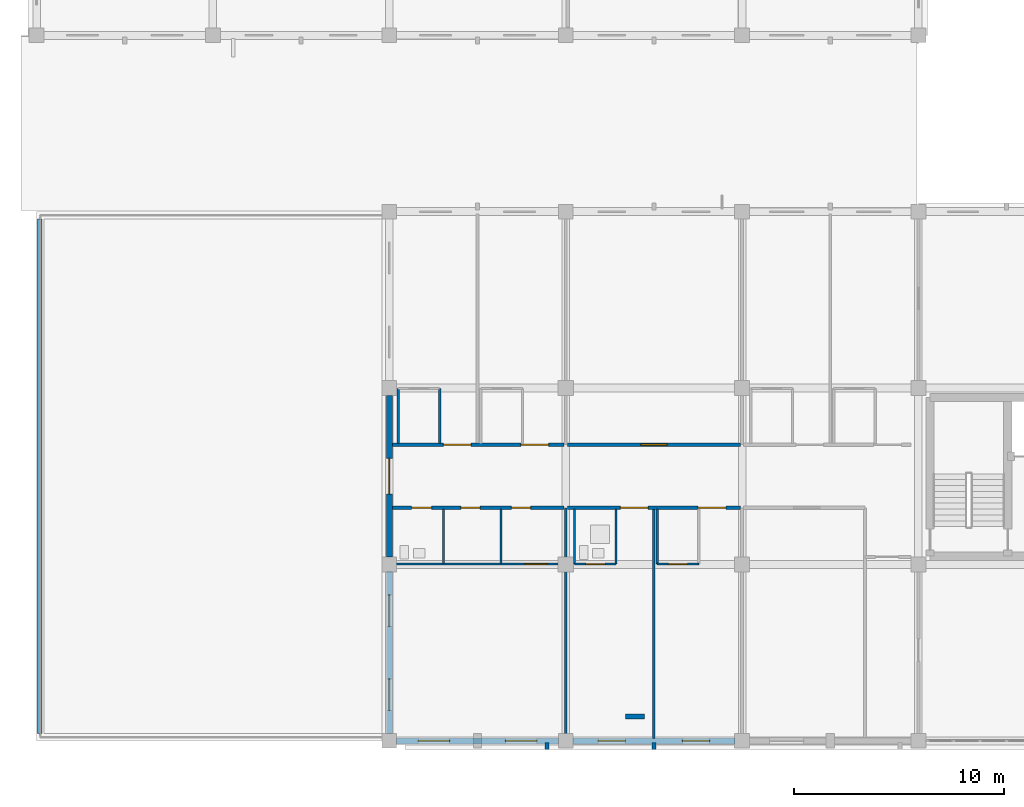
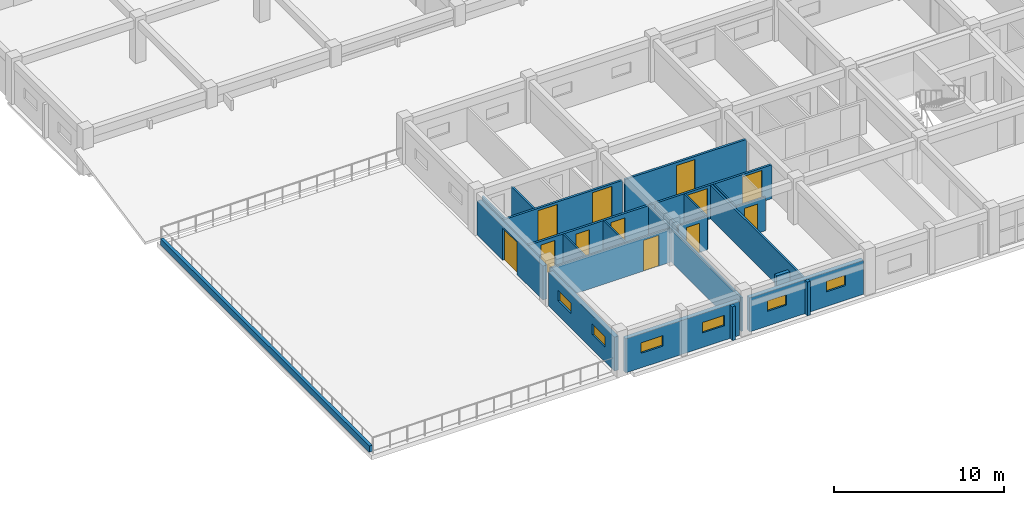
# One storey, part 109 of 148: 24 walls, 12 doors, 6 windows, 18 openings.
"""IFC4 building model written with IfcOpenShell, lengths in metres."""

from ifc_helpers import new_model, si_unit, direction, frame, frame_2d, origin, place, context, subcontext, project, spatial, rectangle, extrude, material, layer, layer_set, type_object, element, fill, save


model = new_model("IFC4")

# Units and contexts
model_context = context("Model", 3, precision=1e-05, world=origin(), true_north=direction((0.0, 1.0)))
body_context = subcontext(model_context, "Body", "Model", "MODEL_VIEW")
ifc_project = project(units=[si_unit("LENGTHUNIT", "METRE"), si_unit("AREAUNIT", "SQUARE_METRE"), si_unit("VOLUMEUNIT", "CUBIC_METRE"), si_unit("PLANEANGLEUNIT", "RADIAN"), si_unit("MASSUNIT", "GRAM", prefix="KILO")], contexts=[model_context])

# Site, building, storey
site_placement = place(None, origin())
site = spatial("IfcSite", under=ifc_project, at=site_placement, CompositionType="ELEMENT")
building_placement = place(site_placement, origin())
building = spatial("IfcBuilding", under=site, at=building_placement, Name="Trelvath General Hospital", CompositionType="ELEMENT")
storey_placement = place(building_placement, frame((0.0, 0.0, 12.89990234375)))
storey = spatial("IfcBuildingStorey", under=building, at=storey_placement, Name="L03", CompositionType="ELEMENT", Elevation=12.89990234375)

# Walls
ifc_material_1 = material(Name="Precast concrete C40/50", Category="concrete")
ifc_layer_1 = layer(ifc_material_1, 0.199951171875)
ifc_layer_set_1 = layer_set([ifc_layer_1], Name="Precast concrete C40/50")
wall_type_1 = type_object("IfcWallType", Name="BriseSoleilRib 200", PredefinedType="ELEMENTEDWALL", material=ifc_layer_set_1)
for number, where, z_axis, x_axis, name in (
    (1, (24.315185546875, -0.074951171875, 0.0), (0.0, 0.0, 1.0), (0.0, -1.0, 0.0), "Precast Concrete Brise-Soleil Rib Fin L03-234"),
    (2, (29.39990234375, -0.074951171875, 0.0), (0.0, 0.0, 1.0), (0.0, -1.0, 0.0), "Precast Concrete Brise-Soleil Rib Fin L03-240"),
):
    element("IfcWall", number, at=place(storey_placement, frame(where, z_axis=z_axis, x_axis=x_axis)), inside=storey, type_object=wall_type_1, Name=name, PredefinedType="ELEMENTEDWALL", context=body_context, shape_type="SweptSolid", body=[
        extrude(rectangle(XDim=0.340087890625, YDim=0.199951171875, at=frame_2d((0.169921875, 0.0))), origin(), (0.0, 0.0, 1.0), 2.420166015625),
    ])

# Wall, openings, doors
ifc_material_2 = material(Name="Gypsum acoustic steel-stud partition", Category="steel")
ifc_layer_2 = layer(ifc_material_2, 0.14990234375)
ifc_layer_set_2 = layer_set([ifc_layer_2], Name="Gypsum acoustic steel-stud partition")
wall_type_2 = type_object("IfcWallType", Name="ClinicalPartition 150", PredefinedType="PARTITIONING", material=ifc_layer_set_2)
wall_1_placement = place(storey_placement, frame((16.93994140625, 11.10009765625, 0.0), z_axis=(0.0, 0.0, 1.0), x_axis=(1.0, 0.0, 0.0)))
wall_1 = element("IfcWall", 3, at=wall_1_placement, inside=storey, type_object=wall_type_2, Name="Corridor Partition L03-1054", PredefinedType="PARTITIONING", context=body_context, shape_type="SweptSolid", body=[
    extrude(rectangle(XDim=8.18017578125, YDim=0.14990234375, at=frame_2d((4.090087890625, 0.0))), origin(), (0.0, 0.0, 1.0), 2.420166015625),
])
opening_1_placement = place(wall_1_placement, frame((0.919921875, 0.0, 0.0)))
opening_1 = element("IfcOpeningElement", 4, at=opening_1_placement, cuts=wall_1, Name="Opening D-3-0813", PredefinedType="OPENING", context=body_context, shape_type="SweptSolid", body=[
    extrude(rectangle(XDim=0.949951171875, YDim=2.14990234375, at=frame_2d((0.47509765625, 1.074951171875))), frame((0.0, 0.0849609375, 0.0), z_axis=(0.0, -1.0, 0.0), x_axis=(1.0, 0.0, 0.0)), (0.0, 0.0, 1.0), 0.169921875),
])
opening_2_placement = place(wall_1_placement, frame((3.27001953125, 0.0, 0.0)))
opening_2 = element("IfcOpeningElement", 5, at=opening_2_placement, cuts=wall_1, Name="Opening D-3-0814", PredefinedType="OPENING", context=body_context, shape_type="SweptSolid", body=[
    extrude(rectangle(XDim=0.919921875, YDim=2.10009765625, at=frame_2d((0.4599609375, 1.050048828125))), frame((0.0, 0.0849609375, 0.0), z_axis=(0.0, -1.0, 0.0), x_axis=(1.0, 0.0, 0.0)), (0.0, 0.0, 1.0), 0.169921875),
])
opening_3_placement = place(wall_1_placement, frame((5.669921875, 0.0, 0.0)))
opening_3 = element("IfcOpeningElement", 6, at=opening_3_placement, cuts=wall_1, Name="Opening D-3-0815", PredefinedType="OPENING", context=body_context, shape_type="SweptSolid", body=[
    extrude(rectangle(XDim=0.919921875, YDim=2.10009765625, at=frame_2d((0.4599609375, 1.050048828125))), frame((0.0, 0.0849609375, 0.0), z_axis=(0.0, -1.0, 0.0), x_axis=(1.0, 0.0, 0.0)), (0.0, 0.0, 1.0), 0.169921875),
])
ifc_material_3 = material(Name="Moisture-sealed timber leaf", Category="wood")
door_type_1 = type_object("IfcDoorType", Name="Door AccessibleWC 950x2150", OperationType="NOTDEFINED", PredefinedType="DOOR", material=ifc_material_3)
door_1_placement = place(opening_1_placement, origin())
door_1 = element("IfcDoor", 7, at=door_1_placement, inside=storey, type_object=door_type_1, Name="Accessible WC Door L03-813", OperationType="SINGLE_SWING_LEFT", OverallHeight=2.14990234375, OverallWidth=0.949951171875, PredefinedType="DOOR", context=body_context, shape_type="SweptSolid", body=[
    extrude(rectangle(XDim=0.949951171875, YDim=2.14990234375, at=frame_2d((0.47509765625, 1.074951171875))), frame((0.0, 0.02490234375, 0.0), z_axis=(0.0, -1.0, 0.0), x_axis=(1.0, 0.0, 0.0)), (0.0, 0.0, 1.0), 0.050048828125),
])
fill(opening_1, door_1)
ifc_material_4 = material(Name="Moisture-sealed timber leaf", Category="wood")
door_type_2 = type_object("IfcDoorType", Name="Door StaffWC 920x2100", OperationType="NOTDEFINED", PredefinedType="DOOR", material=ifc_material_4)
door_2_placement = place(opening_2_placement, origin())
door_2 = element("IfcDoor", 8, at=door_2_placement, inside=storey, type_object=door_type_2, Name="Public WC Door L03-814", OperationType="SINGLE_SWING_RIGHT", OverallHeight=2.10009765625, OverallWidth=0.919921875, PredefinedType="DOOR", context=body_context, shape_type="SweptSolid", body=[
    extrude(rectangle(XDim=0.919921875, YDim=2.10009765625, at=frame_2d((0.4599609375, 1.050048828125))), frame((0.0, 0.02490234375, 0.0), z_axis=(0.0, -1.0, 0.0), x_axis=(1.0, 0.0, 0.0)), (0.0, 0.0, 1.0), 0.050048828125),
])
fill(opening_2, door_2)
door_3_placement = place(opening_3_placement, origin())
door_3 = element("IfcDoor", 9, at=door_3_placement, inside=storey, type_object=door_type_2, Name="Staff WC Door L03-815", OperationType="SINGLE_SWING_LEFT", OverallHeight=2.10009765625, OverallWidth=0.919921875, PredefinedType="DOOR", context=body_context, shape_type="SweptSolid", body=[
    extrude(rectangle(XDim=0.919921875, YDim=2.10009765625, at=frame_2d((0.4599609375, 1.050048828125))), frame((0.0, 0.02490234375, 0.0), z_axis=(0.0, -1.0, 0.0), x_axis=(1.0, 0.0, 0.0)), (0.0, 0.0, 1.0), 0.050048828125),
])
fill(opening_3, door_3)

wall_2_placement = place(storey_placement, frame((25.1201171875, 14.10009765625, 0.0), z_axis=(0.0, 0.0, 1.0), x_axis=(-1.0, 0.0, 0.0)))
wall_2 = element("IfcWall", 10, at=wall_2_placement, inside=storey, type_object=wall_type_2, Name="Corridor Partition N L03-1058", PredefinedType="PARTITIONING", context=body_context, shape_type="SweptSolid", body=[
    extrude(rectangle(XDim=8.18017578125, YDim=0.14990234375, at=frame_2d((4.090087890625, 0.0))), origin(), (0.0, 0.0, 1.0), 2.420166015625),
])
opening_4_placement = place(wall_2_placement, frame((0.72998046875, 0.0, 0.0)))
opening_4 = element("IfcOpeningElement", 11, at=opening_4_placement, cuts=wall_2, Name="Opening D-3-0817", PredefinedType="OPENING", context=body_context, shape_type="SweptSolid", body=[
    extrude(rectangle(XDim=1.320068359375, YDim=2.25, at=frame_2d((0.66015625, 1.125))), frame((0.0, 0.0849609375, 0.0), z_axis=(0.0, -1.0, 0.0), x_axis=(1.0, 0.0, 0.0)), (0.0, 0.0, 1.0), 0.169921875),
])
opening_5_placement = place(wall_2_placement, frame((4.429931640625, 0.0, 0.0)))
opening_5 = element("IfcOpeningElement", 12, at=opening_5_placement, cuts=wall_2, Name="Opening D-3-0818", PredefinedType="OPENING", context=body_context, shape_type="SweptSolid", body=[
    extrude(rectangle(XDim=1.320068359375, YDim=2.25, at=frame_2d((0.66015625, 1.125))), frame((0.0, 0.0849609375, 0.0), z_axis=(0.0, -1.0, 0.0), x_axis=(1.0, 0.0, 0.0)), (0.0, 0.0, 1.0), 0.169921875),
])
ifc_material_5 = material(Name="Maternity bed-leaf timber door", Category="wood")
door_type_3 = type_object("IfcDoorType", Name="Door PatientMaternity 1320x2250", OperationType="NOTDEFINED", PredefinedType="DOOR", material=ifc_material_5)
door_4_placement = place(opening_4_placement, origin())
door_4 = element("IfcDoor", 13, at=door_4_placement, inside=storey, type_object=door_type_3, Name="Patient Room Door N L03-817", OperationType="SINGLE_SWING_LEFT", OverallHeight=2.25, OverallWidth=1.320068359375, PredefinedType="DOOR", context=body_context, shape_type="SweptSolid", body=[
    extrude(rectangle(XDim=1.320068359375, YDim=2.25, at=frame_2d((0.66015625, 1.125))), frame((0.0, 0.02490234375, 0.0), z_axis=(0.0, -1.0, 0.0), x_axis=(1.0, 0.0, 0.0)), (0.0, 0.0, 1.0), 0.050048828125),
])
fill(opening_4, door_4)
door_5_placement = place(opening_5_placement, origin())
door_5 = element("IfcDoor", 14, at=door_5_placement, inside=storey, type_object=door_type_3, Name="Patient Room Door N L03-818", OperationType="SINGLE_SWING_LEFT", OverallHeight=2.25, OverallWidth=1.320068359375, PredefinedType="DOOR", context=body_context, shape_type="SweptSolid", body=[
    extrude(rectangle(XDim=1.320068359375, YDim=2.25, at=frame_2d((0.66015625, 1.125))), frame((0.0, 0.02490234375, 0.0), z_axis=(0.0, -1.0, 0.0), x_axis=(1.0, 0.0, 0.0)), (0.0, 0.0, 1.0), 0.050048828125),
])
fill(opening_5, door_5)

wall_3_placement = place(storey_placement, frame((25.280029296875, 11.10009765625, 0.0), z_axis=(0.0, 0.0, 1.0), x_axis=(1.0, 0.0, 0.0)))
wall_3 = element("IfcWall", 15, at=wall_3_placement, inside=storey, type_object=wall_type_2, Name="Corridor Partition L03-1068", PredefinedType="PARTITIONING", context=body_context, shape_type="SweptSolid", body=[
    extrude(rectangle(XDim=8.239990234375, YDim=0.14990234375, at=frame_2d((4.1201171875, 0.0))), origin(), (0.0, 0.0, 1.0), 2.420166015625),
])
opening_6_placement = place(wall_3_placement, frame((2.530029296875, 0.0, 0.0)))
opening_6 = element("IfcOpeningElement", 16, at=opening_6_placement, cuts=wall_3, Name="Opening D-3-0821", PredefinedType="OPENING", context=body_context, shape_type="SweptSolid", body=[
    extrude(rectangle(XDim=1.320068359375, YDim=2.25, at=frame_2d((0.66015625, 1.125))), frame((0.0, 0.0849609375, 0.0), z_axis=(0.0, -1.0, 0.0), x_axis=(1.0, 0.0, 0.0)), (0.0, 0.0, 1.0), 0.169921875),
])
opening_7_placement = place(wall_3_placement, frame((6.22998046875, 0.0, 0.0)))
opening_7 = element("IfcOpeningElement", 17, at=opening_7_placement, cuts=wall_3, Name="Opening D-3-0822", PredefinedType="OPENING", context=body_context, shape_type="SweptSolid", body=[
    extrude(rectangle(XDim=1.320068359375, YDim=2.25, at=frame_2d((0.66015625, 1.125))), frame((0.0, 0.0849609375, 0.0), z_axis=(0.0, -1.0, 0.0), x_axis=(1.0, 0.0, 0.0)), (0.0, 0.0, 1.0), 0.169921875),
])
door_6_placement = place(opening_6_placement, origin())
door_6 = element("IfcDoor", 18, at=door_6_placement, inside=storey, type_object=door_type_3, Name="Patient Room Door L03-821", OperationType="SINGLE_SWING_RIGHT", OverallHeight=2.25, OverallWidth=1.320068359375, PredefinedType="DOOR", context=body_context, shape_type="SweptSolid", body=[
    extrude(rectangle(XDim=1.320068359375, YDim=2.25, at=frame_2d((0.66015625, 1.125))), frame((0.0, 0.02490234375, 0.0), z_axis=(0.0, -1.0, 0.0), x_axis=(1.0, 0.0, 0.0)), (0.0, 0.0, 1.0), 0.050048828125),
])
fill(opening_6, door_6)
door_7_placement = place(opening_7_placement, origin())
door_7 = element("IfcDoor", 19, at=door_7_placement, inside=storey, type_object=door_type_3, Name="Patient Room Door L03-822", OperationType="SINGLE_SWING_LEFT", OverallHeight=2.25, OverallWidth=1.320068359375, PredefinedType="DOOR", context=body_context, shape_type="SweptSolid", body=[
    extrude(rectangle(XDim=1.320068359375, YDim=2.25, at=frame_2d((0.66015625, 1.125))), frame((0.0, 0.02490234375, 0.0), z_axis=(0.0, -1.0, 0.0), x_axis=(1.0, 0.0, 0.0)), (0.0, 0.0, 1.0), 0.050048828125),
])
fill(opening_7, door_7)

# Wall, opening, door
wall_4_placement = place(storey_placement, frame((33.52001953125, 14.10009765625, 0.0), z_axis=(0.0, 0.0, 1.0), x_axis=(-1.0, 0.0, 0.0)))
wall_4 = element("IfcWall", 20, at=wall_4_placement, inside=storey, type_object=wall_type_2, Name="Corridor Partition N L03-1077", PredefinedType="PARTITIONING", context=body_context, shape_type="SweptSolid", body=[
    extrude(rectangle(XDim=8.239990234375, YDim=0.14990234375, at=frame_2d((4.1201171875, 0.0))), origin(), (0.0, 0.0, 1.0), 2.420166015625),
])
opening_8_placement = place(wall_4_placement, frame((3.4951171875, 0.0, 0.0)))
opening_8 = element("IfcOpeningElement", 21, at=opening_8_placement, cuts=wall_4, Name="Opening D-3-0825", PredefinedType="OPENING", context=body_context, shape_type="SweptSolid", body=[
    extrude(rectangle(XDim=1.25, YDim=2.199951171875, at=frame_2d((0.625, 1.10009765625))), frame((0.0, 0.0849609375, 0.0), z_axis=(0.0, -1.0, 0.0), x_axis=(1.0, 0.0, 0.0)), (0.0, 0.0, 1.0), 0.169921875),
])
ifc_material_6 = material(Name="Acoustic hospital timber leaf", Category="wood")
door_type_4 = type_object("IfcDoorType", Name="Door Treatment 1250x2200", OperationType="NOTDEFINED", PredefinedType="DOOR", material=ifc_material_6)
door_8_placement = place(opening_8_placement, origin())
door_8 = element("IfcDoor", 22, at=door_8_placement, inside=storey, type_object=door_type_4, Name="Clinical Room Door L03-825", OperationType="SINGLE_SWING_RIGHT", OverallHeight=2.199951171875, OverallWidth=1.25, PredefinedType="DOOR", context=body_context, shape_type="SweptSolid", body=[
    extrude(rectangle(XDim=1.25, YDim=2.199951171875, at=frame_2d((0.625, 1.10009765625))), frame((0.0, 0.02490234375, 0.0), z_axis=(0.0, -1.0, 0.0), x_axis=(1.0, 0.0, 0.0)), (0.0, 0.0, 1.0), 0.050048828125),
])
fill(opening_8, door_8)

# Walls
ifc_material_7 = material(Name="Moisture-resistant tile partition")
ifc_layer_3 = layer(ifc_material_7, 0.110107421875)
ifc_layer_set_3 = layer_set([ifc_layer_3], Name="Moisture-resistant tile partition")
wall_type_3 = type_object("IfcWallType", Name="EnSuiteWetWall 110", PredefinedType="PARTITIONING", material=ifc_layer_set_3)
for number, where, z_axis, x_axis, name in (
    (23, (19.3798828125, 8.43994140625, 0.0), (0.0, 0.0, 1.0), (0.0, 1.0, 0.0), "WC Dividing Wall L03-1055"),
    (24, (22.1201171875, 8.43994140625, 0.0), (0.0, 0.0, 1.0), (0.0, 1.0, 0.0), "WC Dividing Wall L03-1056"),
):
    element("IfcWall", number, at=place(storey_placement, frame(where, z_axis=z_axis, x_axis=x_axis)), inside=storey, type_object=wall_type_3, Name=name, PredefinedType="PARTITIONING", context=body_context, shape_type="SweptSolid", body=[
        extrude(rectangle(XDim=2.590087890625, YDim=0.110107421875, at=frame_2d((1.294921875, 0.0))), origin(), (0.0, 0.0, 1.0), 2.420166015625),
    ])

# Wall, opening, door
wall_5_placement = place(storey_placement, frame((16.93994140625, 8.419921875, 0.0), z_axis=(0.0, 0.0, 1.0), x_axis=(1.0, 0.0, 0.0)))
wall_5 = element("IfcWall", 25, at=wall_5_placement, inside=storey, type_object=wall_type_3, Name="Nurse Station Partition L03-1057", PredefinedType="PARTITIONING", context=body_context, shape_type="SweptSolid", body=[
    extrude(rectangle(XDim=8.18017578125, YDim=0.110107421875, at=frame_2d((4.090087890625, 0.0))), origin(), (0.0, 0.0, 1.0), 2.420166015625),
])
opening_9_placement = place(wall_5_placement, frame((6.320068359375, 0.0, 0.0)))
opening_9 = element("IfcOpeningElement", 26, at=opening_9_placement, cuts=wall_5, Name="Opening D-3-0816", PredefinedType="OPENING", context=body_context, shape_type="SweptSolid", body=[
    extrude(rectangle(XDim=1.050048828125, YDim=2.199951171875, at=frame_2d((0.52490234375, 1.10009765625))), frame((0.0, 0.06494140625, 0.0), z_axis=(0.0, -1.0, 0.0), x_axis=(1.0, 0.0, 0.0)), (0.0, 0.0, 1.0), 0.130126953125),
])
ifc_material_8 = material(Name="Acoustic hospital timber leaf", Category="wood")
door_type_5 = type_object("IfcDoorType", Name="Door Consult 1050x2200", OperationType="NOTDEFINED", PredefinedType="DOOR", material=ifc_material_8)
door_9_placement = place(opening_9_placement, origin())
door_9 = element("IfcDoor", 27, at=door_9_placement, inside=storey, type_object=door_type_5, Name="Nurse Station Door L03-816", OperationType="SINGLE_SWING_RIGHT", OverallHeight=2.199951171875, OverallWidth=1.050048828125, PredefinedType="DOOR", context=body_context, shape_type="SweptSolid", body=[
    extrude(rectangle(XDim=1.050048828125, YDim=2.199951171875, at=frame_2d((0.52490234375, 1.10009765625))), frame((0.0, 0.02490234375, 0.0), z_axis=(0.0, -1.0, 0.0), x_axis=(1.0, 0.0, 0.0)), (0.0, 0.0, 1.0), 0.050048828125),
])
fill(opening_9, door_9)

# Walls
for number, where, z_axis, x_axis, name in (
    (28, (17.219970703125, 14.169921875, 0.0), (0.0, 0.0, 1.0), (0.0, 1.0, 0.0), "En-Suite W Wall N L03-1060"),
    (29, (19.199951171875, 14.169921875, 0.0), (0.0, 0.0, 1.0), (0.0, 1.0, 0.0), "En-Suite E Wall N L03-1061"),
    (30, (25.6201171875, 8.419921875, 0.0), (0.0, 0.0, 1.0), (0.0, 1.0, 0.0), "En-Suite W Wall L03-1070"),
    (31, (27.60009765625, 8.419921875, 0.0), (0.0, 0.0, 1.0), (0.0, 1.0, 0.0), "En-Suite E Wall L03-1071"),
):
    element("IfcWall", number, at=place(storey_placement, frame(where, z_axis=z_axis, x_axis=x_axis)), inside=storey, type_object=wall_type_3, Name=name, PredefinedType="PARTITIONING", context=body_context, shape_type="SweptSolid", body=[
        extrude(rectangle(XDim=2.610107421875, YDim=0.110107421875, at=frame_2d((1.30517578125, 0.0))), origin(), (0.0, 0.0, 1.0), 2.420166015625),
    ])

# Wall, opening, door
wall_6_placement = place(storey_placement, frame((25.6201171875, 8.419921875, 0.0), z_axis=(0.0, 0.0, 1.0), x_axis=(1.0, 0.0, 0.0)))
wall_6 = element("IfcWall", 32, at=wall_6_placement, inside=storey, type_object=wall_type_3, Name="En-Suite Bathroom Partition L03-1072", PredefinedType="PARTITIONING", context=body_context, shape_type="SweptSolid", body=[
    extrude(rectangle(XDim=1.97998046875, YDim=0.110107421875, at=frame_2d((0.989990234375, 0.0))), origin(), (0.0, 0.0, 1.0), 2.420166015625),
])
opening_10_placement = place(wall_6_placement, frame((0.5400390625, 0.0, 0.0)))
opening_10 = element("IfcOpeningElement", 33, at=opening_10_placement, cuts=wall_6, Name="Opening D-3-0823", PredefinedType="OPENING", context=body_context, shape_type="SweptSolid", body=[
    extrude(rectangle(XDim=0.89990234375, YDim=2.10009765625, at=frame_2d((0.449951171875, 1.050048828125))), frame((0.0, 0.06494140625, 0.0), z_axis=(0.0, -1.0, 0.0), x_axis=(1.0, 0.0, 0.0)), (0.0, 0.0, 1.0), 0.130126953125),
])
ifc_material_9 = material(Name="Moisture-sealed timber leaf", Category="wood")
door_type_6 = type_object("IfcDoorType", Name="Door EnSuite 900x2100", OperationType="NOTDEFINED", PredefinedType="DOOR", material=ifc_material_9)
door_10_placement = place(opening_10_placement, origin())
door_10 = element("IfcDoor", 34, at=door_10_placement, inside=storey, type_object=door_type_6, Name="En-Suite Bathroom Door L03-823", OperationType="SINGLE_SWING_RIGHT", OverallHeight=2.10009765625, OverallWidth=0.89990234375, PredefinedType="DOOR", context=body_context, shape_type="SweptSolid", body=[
    extrude(rectangle(XDim=0.89990234375, YDim=2.10009765625, at=frame_2d((0.449951171875, 1.050048828125))), frame((0.0, 0.02490234375, 0.0), z_axis=(0.0, -1.0, 0.0), x_axis=(1.0, 0.0, 0.0)), (0.0, 0.0, 1.0), 0.050048828125),
])
fill(opening_10, door_10)

# Wall
wall_7_placement = place(storey_placement, frame((29.56005859375, 8.419921875, 0.0), z_axis=(0.0, 0.0, 1.0), x_axis=(0.0, 1.0, 0.0)))
element("IfcWall", 35, at=wall_7_placement, inside=storey, type_object=wall_type_3, Name="En-Suite W Wall L03-1073", PredefinedType="PARTITIONING", context=body_context, shape_type="SweptSolid", body=[
    extrude(rectangle(XDim=2.610107421875, YDim=0.110107421875, at=frame_2d((1.30517578125, 0.0))), origin(), (0.0, 0.0, 1.0), 2.420166015625),
])

# Wall, opening, door
wall_8_placement = place(storey_placement, frame((29.56005859375, 8.419921875, 0.0), z_axis=(0.0, 0.0, 1.0), x_axis=(1.0, 0.0, 0.0)))
wall_8 = element("IfcWall", 36, at=wall_8_placement, inside=storey, type_object=wall_type_3, Name="En-Suite Bathroom Partition L03-1075", PredefinedType="PARTITIONING", context=body_context, shape_type="SweptSolid", body=[
    extrude(rectangle(XDim=1.97998046875, YDim=0.110107421875, at=frame_2d((0.989990234375, 0.0))), origin(), (0.0, 0.0, 1.0), 2.420166015625),
])
opening_11_placement = place(wall_8_placement, frame((0.5400390625, 0.0, 0.0)))
opening_11 = element("IfcOpeningElement", 37, at=opening_11_placement, cuts=wall_8, Name="Opening D-3-0824", PredefinedType="OPENING", context=body_context, shape_type="SweptSolid", body=[
    extrude(rectangle(XDim=0.89990234375, YDim=2.10009765625, at=frame_2d((0.449951171875, 1.050048828125))), frame((0.0, 0.06494140625, 0.0), z_axis=(0.0, -1.0, 0.0), x_axis=(1.0, 0.0, 0.0)), (0.0, 0.0, 1.0), 0.130126953125),
])
door_11_placement = place(opening_11_placement, origin())
door_11 = element("IfcDoor", 38, at=door_11_placement, inside=storey, type_object=door_type_6, Name="En-Suite Bathroom Door L03-824", OperationType="SINGLE_SWING_LEFT", OverallHeight=2.10009765625, OverallWidth=0.89990234375, PredefinedType="DOOR", context=body_context, shape_type="SweptSolid", body=[
    extrude(rectangle(XDim=0.89990234375, YDim=2.10009765625, at=frame_2d((0.449951171875, 1.050048828125))), frame((0.0, 0.02490234375, 0.0), z_axis=(0.0, -1.0, 0.0), x_axis=(1.0, 0.0, 0.0)), (0.0, 0.0, 1.0), 0.050048828125),
])
fill(opening_11, door_11)

# Wall, openings, windows
ifc_material_10 = material(Name="Concrete C35/45", Category="concrete")
ifc_layer_4 = layer(ifc_material_10, 0.2900390625)
ifc_layer_set_4 = layer_set([ifc_layer_4], Name="Concrete C35/45")
wall_type_4 = type_object("IfcWallType", Name="ExtBushHammeredWall 290", PredefinedType="SOLIDWALL", material=ifc_layer_set_4)
wall_9_placement = place(storey_placement, frame((24.85498046875, 0.0, 0.0), z_axis=(0.0, 0.0, 1.0), x_axis=(-1.0, 0.0, 0.0)))
wall_9 = element("IfcWall", 39, at=wall_9_placement, inside=storey, type_object=wall_type_4, Name="Exterior Concrete Wall L03-336", PredefinedType="SOLIDWALL", context=body_context, shape_type="SweptSolid", body=[
    extrude(rectangle(XDim=7.7099609375, YDim=0.2900390625, at=frame_2d((3.85498046875, 0.0))), origin(), (0.0, 0.0, 1.0), 2.440185546875),
])
opening_12_placement = place(wall_9_placement, frame((1.023193359375, 0.0, 1.050048828125)))
opening_12 = element("IfcOpeningElement", 40, at=opening_12_placement, cuts=wall_9, Name="Opening WN-3-545", PredefinedType="OPENING", context=body_context, shape_type="SweptSolid", body=[
    extrude(rectangle(XDim=1.5, YDim=0.75, at=frame_2d((0.75, 0.375))), frame((0.0, 0.155029296875, 0.0), z_axis=(0.0, -1.0, 0.0), x_axis=(1.0, 0.0, 0.0)), (0.0, 0.0, 1.0), 0.31005859375),
])
opening_13_placement = place(wall_9_placement, frame((5.186767578125, 0.0, 1.050048828125)))
opening_13 = element("IfcOpeningElement", 41, at=opening_13_placement, cuts=wall_9, Name="Opening WN-3-546", PredefinedType="OPENING", context=body_context, shape_type="SweptSolid", body=[
    extrude(rectangle(XDim=1.5, YDim=0.75, at=frame_2d((0.75, 0.375))), frame((0.0, 0.155029296875, 0.0), z_axis=(0.0, -1.0, 0.0), x_axis=(1.0, 0.0, 0.0)), (0.0, 0.0, 1.0), 0.31005859375),
])
ifc_material_11 = material(Name="Low-E laminated glass", Category="glass")
window_type_1 = type_object("IfcWindowType", Name="Window InterstitialVent 1500x750", PartitioningType="DOUBLE_PANEL_HORIZONTAL", PredefinedType="WINDOW", material=ifc_material_11)
window_1_placement = place(opening_12_placement, origin())
window_1 = element("IfcWindow", 42, at=window_1_placement, inside=storey, type_object=window_type_1, Name="Solar Reveal Window L03-545", OverallHeight=0.75, OverallWidth=1.5, PartitioningType="SINGLE_PANEL", PredefinedType="WINDOW", context=body_context, shape_type="SweptSolid", body=[
    extrude(rectangle(XDim=1.5, YDim=0.75, at=frame_2d((0.75, 0.375))), frame((0.0, 0.030029296875, 0.0), z_axis=(0.0, -1.0, 0.0), x_axis=(1.0, 0.0, 0.0)), (0.0, 0.0, 1.0), 0.06005859375),
])
fill(opening_12, window_1)
window_2_placement = place(opening_13_placement, origin())
window_2 = element("IfcWindow", 43, at=window_2_placement, inside=storey, type_object=window_type_1, Name="Solar Reveal Window L03-546", OverallHeight=0.75, OverallWidth=1.5, PartitioningType="SINGLE_PANEL", PredefinedType="WINDOW", context=body_context, shape_type="SweptSolid", body=[
    extrude(rectangle(XDim=1.5, YDim=0.75, at=frame_2d((0.75, 0.375))), frame((0.0, 0.030029296875, 0.0), z_axis=(0.0, -1.0, 0.0), x_axis=(1.0, 0.0, 0.0)), (0.0, 0.0, 1.0), 0.06005859375),
])
fill(opening_13, window_2)

wall_10_placement = place(storey_placement, frame((16.800048828125, 0.344970703125, 0.0), z_axis=(0.0, 0.0, 1.0), x_axis=(0.0, 1.0, 0.0)))
wall_10 = element("IfcWall", 44, at=wall_10_placement, inside=storey, type_object=wall_type_4, Name="Exterior Concrete Wall L03-337", PredefinedType="SOLIDWALL", context=body_context, shape_type="SweptSolid", body=[
    extrude(rectangle(XDim=7.7099609375, YDim=0.2900390625, at=frame_2d((3.85498046875, 0.0))), origin(), (0.0, 0.0, 1.0), 2.440185546875),
])
opening_14_placement = place(wall_10_placement, frame((1.100341796875, 0.0, 1.050048828125)))
opening_14 = element("IfcOpeningElement", 45, at=opening_14_placement, cuts=wall_10, Name="Opening WN-3-547", PredefinedType="OPENING", context=body_context, shape_type="SweptSolid", body=[
    extrude(rectangle(XDim=1.5, YDim=0.75, at=frame_2d((0.75, 0.375))), frame((0.0, 0.155029296875, 0.0), z_axis=(0.0, -1.0, 0.0), x_axis=(1.0, 0.0, 0.0)), (0.0, 0.0, 1.0), 0.31005859375),
])
opening_15_placement = place(wall_10_placement, frame((5.109619140625, 0.0, 1.050048828125)))
opening_15 = element("IfcOpeningElement", 46, at=opening_15_placement, cuts=wall_10, Name="Opening WN-3-548", PredefinedType="OPENING", context=body_context, shape_type="SweptSolid", body=[
    extrude(rectangle(XDim=1.5, YDim=0.75, at=frame_2d((0.75, 0.375))), frame((0.0, 0.155029296875, 0.0), z_axis=(0.0, -1.0, 0.0), x_axis=(1.0, 0.0, 0.0)), (0.0, 0.0, 1.0), 0.31005859375),
])
window_3_placement = place(opening_14_placement, origin())
window_3 = element("IfcWindow", 47, at=window_3_placement, inside=storey, type_object=window_type_1, Name="Solar Reveal Window L03-547", OverallHeight=0.75, OverallWidth=1.5, PartitioningType="SINGLE_PANEL", PredefinedType="WINDOW", context=body_context, shape_type="SweptSolid", body=[
    extrude(rectangle(XDim=1.5, YDim=0.75, at=frame_2d((0.75, 0.375))), frame((0.0, 0.030029296875, 0.0), z_axis=(0.0, -1.0, 0.0), x_axis=(1.0, 0.0, 0.0)), (0.0, 0.0, 1.0), 0.06005859375),
])
fill(opening_14, window_3)
window_4_placement = place(opening_15_placement, origin())
window_4 = element("IfcWindow", 48, at=window_4_placement, inside=storey, type_object=window_type_1, Name="Solar Reveal Window L03-548", OverallHeight=0.75, OverallWidth=1.5, PartitioningType="SINGLE_PANEL", PredefinedType="WINDOW", context=body_context, shape_type="SweptSolid", body=[
    extrude(rectangle(XDim=1.5, YDim=0.75, at=frame_2d((0.75, 0.375))), frame((0.0, 0.030029296875, 0.0), z_axis=(0.0, -1.0, 0.0), x_axis=(1.0, 0.0, 0.0)), (0.0, 0.0, 1.0), 0.06005859375),
])
fill(opening_15, window_4)

# Wall, opening, door
wall_11_placement = place(storey_placement, frame((16.800048828125, 8.7451171875, 0.0), z_axis=(0.0, 0.0, 1.0), x_axis=(0.0, 1.0, 0.0)))
wall_11 = element("IfcWall", 49, at=wall_11_placement, inside=storey, type_object=wall_type_4, Name="Exterior Concrete Wall L03-338", PredefinedType="SOLIDWALL", context=body_context, shape_type="SweptSolid", body=[
    extrude(rectangle(XDim=7.7099609375, YDim=0.2900390625, at=frame_2d((3.85498046875, 0.0))), origin(), (0.0, 0.0, 1.0), 2.440185546875),
])
opening_16_placement = place(wall_11_placement, frame((3.0048828125, 0.0, 0.0)))
opening_16 = element("IfcOpeningElement", 50, at=opening_16_placement, cuts=wall_11, Name="Opening TD-3-48", PredefinedType="OPENING", context=body_context, shape_type="SweptSolid", body=[
    extrude(rectangle(XDim=1.699951171875, YDim=2.300048828125, at=frame_2d((0.85009765625, 1.14990234375))), frame((0.0, 0.155029296875, 0.0), z_axis=(0.0, -1.0, 0.0), x_axis=(1.0, 0.0, 0.0)), (0.0, 0.0, 1.0), 0.31005859375),
])
ifc_material_12 = material(Name="Thermally broken glazed aluminium pair", Category="aluminium")
door_type_7 = type_object("IfcDoorType", Name="Door TerracePair 1700x2300", OperationType="DOUBLE_SWING_LEFT", PredefinedType="DOOR", material=ifc_material_12)
door_12_placement = place(opening_16_placement, origin())
door_12 = element("IfcDoor", 51, at=door_12_placement, inside=storey, type_object=door_type_7, Name="Planted Terrace Access Door TERR-OR-SW3 L03", OperationType="DOUBLE_SWING_LEFT", OverallHeight=2.300048828125, OverallWidth=1.699951171875, PredefinedType="DOOR", context=body_context, shape_type="SweptSolid", body=[
    extrude(rectangle(XDim=1.699951171875, YDim=2.300048828125, at=frame_2d((0.85009765625, 1.14990234375))), frame((0.0, 0.02490234375, 0.0), z_axis=(0.0, -1.0, 0.0), x_axis=(1.0, 0.0, 0.0)), (0.0, 0.0, 1.0), 0.050048828125),
])
fill(opening_16, door_12)

# Wall, openings, windows
wall_12_placement = place(storey_placement, frame((33.2548828125, 0.0, 0.0), z_axis=(0.0, 0.0, 1.0), x_axis=(-1.0, 0.0, 0.0)))
wall_12 = element("IfcWall", 52, at=wall_12_placement, inside=storey, type_object=wall_type_4, Name="Exterior Concrete Wall L03-348", PredefinedType="SOLIDWALL", context=body_context, shape_type="SweptSolid", body=[
    extrude(rectangle(XDim=7.7099609375, YDim=0.2900390625, at=frame_2d((3.85498046875, 0.0))), origin(), (0.0, 0.0, 1.0), 2.440185546875),
])
opening_17_placement = place(wall_12_placement, frame((1.200439453125, 0.0, 1.050048828125)))
opening_17 = element("IfcOpeningElement", 53, at=opening_17_placement, cuts=wall_12, Name="Opening WN-3-565", PredefinedType="OPENING", context=body_context, shape_type="SweptSolid", body=[
    extrude(rectangle(XDim=1.300048828125, YDim=0.75, at=frame_2d((0.64990234375, 0.375))), frame((0.0, 0.155029296875, 0.0), z_axis=(0.0, -1.0, 0.0), x_axis=(1.0, 0.0, 0.0)), (0.0, 0.0, 1.0), 0.31005859375),
])
opening_18_placement = place(wall_12_placement, frame((5.209716796875, 0.0, 1.050048828125)))
opening_18 = element("IfcOpeningElement", 54, at=opening_18_placement, cuts=wall_12, Name="Opening WN-3-566", PredefinedType="OPENING", context=body_context, shape_type="SweptSolid", body=[
    extrude(rectangle(XDim=1.300048828125, YDim=0.75, at=frame_2d((0.64990234375, 0.375))), frame((0.0, 0.155029296875, 0.0), z_axis=(0.0, -1.0, 0.0), x_axis=(1.0, 0.0, 0.0)), (0.0, 0.0, 1.0), 0.31005859375),
])
ifc_material_13 = material(Name="Low-E laminated glass", Category="glass")
window_type_2 = type_object("IfcWindowType", Name="Window InterstitialVent 1300x750", PartitioningType="DOUBLE_PANEL_HORIZONTAL", PredefinedType="WINDOW", material=ifc_material_13)
window_5_placement = place(opening_17_placement, origin())
window_5 = element("IfcWindow", 55, at=window_5_placement, inside=storey, type_object=window_type_2, Name="Solar Reveal Window L03-565", OverallHeight=0.75, OverallWidth=1.300048828125, PartitioningType="SINGLE_PANEL", PredefinedType="WINDOW", context=body_context, shape_type="SweptSolid", body=[
    extrude(rectangle(XDim=1.300048828125, YDim=0.75, at=frame_2d((0.64990234375, 0.375))), frame((0.0, 0.030029296875, 0.0), z_axis=(0.0, -1.0, 0.0), x_axis=(1.0, 0.0, 0.0)), (0.0, 0.0, 1.0), 0.06005859375),
])
fill(opening_17, window_5)
window_6_placement = place(opening_18_placement, origin())
window_6 = element("IfcWindow", 56, at=window_6_placement, inside=storey, type_object=window_type_2, Name="Solar Reveal Window L03-566", OverallHeight=0.75, OverallWidth=1.300048828125, PartitioningType="SINGLE_PANEL", PredefinedType="WINDOW", context=body_context, shape_type="SweptSolid", body=[
    extrude(rectangle(XDim=1.300048828125, YDim=0.75, at=frame_2d((0.64990234375, 0.375))), frame((0.0, 0.030029296875, 0.0), z_axis=(0.0, -1.0, 0.0), x_axis=(1.0, 0.0, 0.0)), (0.0, 0.0, 1.0), 0.06005859375),
])
fill(opening_18, window_6)

# Walls
ifc_material_14 = material(Name="Masonry service chase blockwork", Category="masonry")
ifc_layer_5 = layer(ifc_material_14, 0.239990234375)
ifc_layer_set_5 = layer_set([ifc_layer_5], Name="Masonry service chase blockwork")
wall_type_5 = type_object("IfcWallType", Name="PlumbingChaseWall 240", PredefinedType="PLUMBINGWALL", material=ifc_layer_set_5)
wall_13_placement = place(storey_placement, frame((28.050048828125, 1.14990234375, 0.0), z_axis=(0.0, 0.0, 1.0), x_axis=(1.0, 0.0, 0.0)))
element("IfcWall", 57, at=wall_13_placement, inside=storey, type_object=wall_type_5, Name="Medical Gas Plumbing Chase L03-1076", PredefinedType="PLUMBINGWALL", context=body_context, shape_type="SweptSolid", body=[
    extrude(rectangle(XDim=0.89990234375, YDim=0.239990234375, at=frame_2d((0.449951171875, 0.0))), origin(), (0.0, 0.0, 1.0), 2.420166015625),
])
ifc_material_15 = material(Name="Concrete C35/45", Category="concrete")
ifc_layer_6 = layer(ifc_material_15, 0.2099609375)
ifc_layer_set_6 = layer_set([ifc_layer_6], Name="Concrete C35/45")
wall_type_6 = type_object("IfcWallType", Name="TerraceParapet 210", PredefinedType="PARAPET", material=ifc_layer_set_6)
wall_14_placement = place(storey_placement, frame((0.14990234375, 0.35009765625, 0.0), z_axis=(0.0, 0.0, 1.0), x_axis=(0.0, 1.0, 0.0)))
element("IfcWall", 58, at=wall_14_placement, inside=storey, type_object=wall_type_6, Name="Terrace Planter Upstand TERR-OR-SW3", PredefinedType="PARAPET", context=body_context, shape_type="SweptSolid", body=[
    extrude(rectangle(XDim=24.5, YDim=0.2099609375, at=frame_2d((12.25, 0.0))), origin(), (0.0, 0.0, 1.0), 0.4501953125),
])
ifc_material_16 = material(Name="Gypsum acoustic steel-stud partition", Category="steel")
ifc_layer_7 = layer(ifc_material_16, 0.1298828125)
ifc_layer_set_7 = layer_set([ifc_layer_7], Name="Gypsum acoustic steel-stud partition")
wall_type_7 = type_object("IfcWallType", Name="WardPartition 130", PredefinedType="PARTITIONING", material=ifc_layer_set_7)
wall_15_placement = place(storey_placement, frame((25.199951171875, 0.139892578125, 0.0), z_axis=(0.0, 0.0, 1.0), x_axis=(0.0, 1.0, 0.0)))
element("IfcWall", 59, at=wall_15_placement, inside=storey, type_object=wall_type_7, Name="Inter-Bay Ward Partition S L03-1066", PredefinedType="PARTITIONING", context=body_context, shape_type="SweptSolid", body=[
    extrude(rectangle(XDim=10.940185546875, YDim=0.1298828125, at=frame_2d((5.47021484375, 0.0))), origin(), (0.0, 0.0, 1.0), 2.420166015625),
])
wall_16_placement = place(storey_placement, frame((29.39990234375, 0.10009765625, 0.0), z_axis=(0.0, 0.0, 1.0), x_axis=(0.0, 1.0, 0.0)))
element("IfcWall", 60, at=wall_16_placement, inside=storey, type_object=wall_type_7, Name="Room Dividing Partition S L03-1069", PredefinedType="PARTITIONING", context=body_context, shape_type="SweptSolid", body=[
    extrude(rectangle(XDim=10.929931640625, YDim=0.1298828125, at=frame_2d((5.46484375, 0.0))), origin(), (0.0, 0.0, 1.0), 2.420166015625),
])

save(model, "model.ifc")
